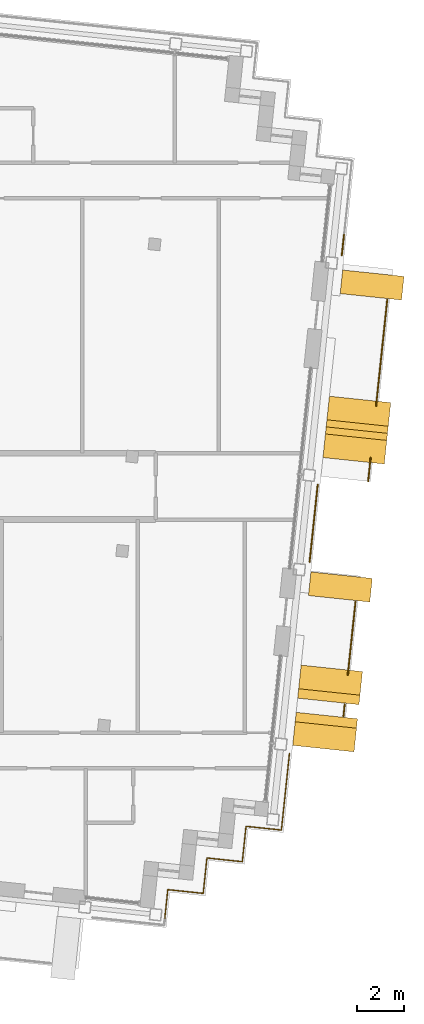
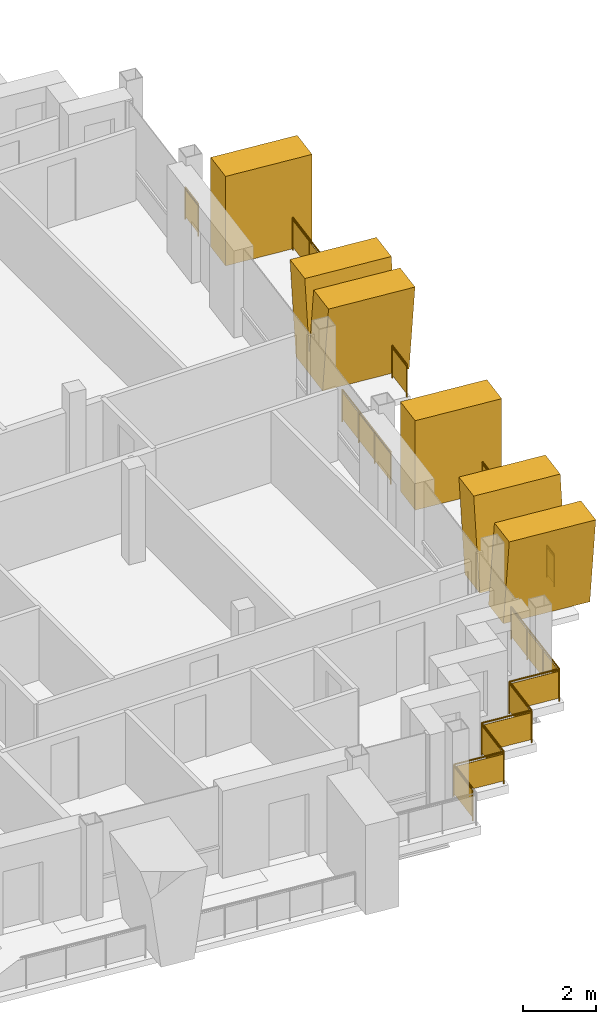
# One storey, part 15 of 17: 7 railings, 5 shading devices.
"""IFC4 building model written with IfcOpenShell, lengths in metres."""

from ifc_helpers import new_model, si_unit, direction, frame, origin, origin_2d, place, context, subcontext, project, spatial, polyline, rectangle, circle, outline, extrude, material, layer, layer_set, type_object, element, save


model = new_model("IFC4")

# Units and contexts
model_context = context("Model", 3, precision=1e-05, world=origin(), true_north=direction((0.0, 1.0)))
body_context = subcontext(model_context, "Body", "Model", "MODEL_VIEW")
ifc_project = project(units=[si_unit("LENGTHUNIT", "METRE"), si_unit("AREAUNIT", "SQUARE_METRE"), si_unit("VOLUMEUNIT", "CUBIC_METRE"), si_unit("PLANEANGLEUNIT", "RADIAN"), si_unit("MASSUNIT", "GRAM", prefix="KILO")], contexts=[model_context])

# Site, building, storey
site_placement = place(None, origin())
site = spatial("IfcSite", under=ifc_project, at=site_placement, CompositionType="ELEMENT")
building_placement = place(site_placement, origin())
building = spatial("IfcBuilding", under=site, at=building_placement, Name="Vidyagriha Tower", CompositionType="ELEMENT")
storey_placement = place(building_placement, frame((0.0, 0.0, 269.10009765625)))
storey = spatial("IfcBuildingStorey", under=building, at=storey_placement, Name="L70", CompositionType="ELEMENT", Elevation=269.10009765625)

# Railings
ifc_material_1 = material(Name="Steel ASTM A500 Grade C black painted", Category="steel")
railing_type_1 = type_object("IfcRailingType", Name="Balcony guard 1100", PredefinedType="BALUSTRADE", material=ifc_material_1)
railing_1_placement = place(storey_placement, frame((32.9140625, -9.682861328125, 0.0)))
element("IfcRailing", 1, at=railing_1_placement, inside=storey, type_object=railing_type_1, Name="Balcony guard L70 R28.1-1", PredefinedType="BALUSTRADE", context=body_context, shape_type="SweptSolid", body=[
    extrude(circle(Radius=0.02490234375, at=origin_2d()), frame((0.0, 0.0, 1.0751953125), z_axis=(0.104481464157, 0.994526834051, 0.0), x_axis=(-0.994526834051, 0.104481464157, 0.0)), (0.0, 0.0, 1.0), 0.5),
    extrude(circle(Radius=0.02001953125, at=origin_2d()), origin(), (0.0, 0.0, 1.0), 1.050048828125),
    extrude(circle(Radius=0.02001953125, at=origin_2d()), frame((0.05224609375, 0.497314453125, 0.0)), (0.0, 0.0, 1.0), 1.050048828125),
    extrude(rectangle(XDim=0.010009765625, YDim=0.900146484375, at=origin_2d()), frame((0.0, 0.0, 0.550048828125), z_axis=(0.104481464157, 0.994526834051, 0.0), x_axis=(-0.994526834051, 0.104481464157, 0.0)), (0.0, 0.0, 1.0), 0.5),
])
railing_2_placement = place(storey_placement, frame((33.097412109375, -7.93896484375, 0.0)))
element("IfcRailing", 2, at=railing_2_placement, inside=storey, type_object=railing_type_1, Name="Balcony guard L70 R28.1-2", PredefinedType="BALUSTRADE", context=body_context, shape_type="SweptSolid", body=[
    extrude(circle(Radius=0.02490234375, at=origin_2d()), frame((0.0, 0.0, 1.0751953125), z_axis=(0.104545242946, 0.99452013161, 0.0), x_axis=(-0.99452013161, 0.104545242946, 0.0)), (0.0, 0.0, 1.0), 3.0966796875),
    extrude(circle(Radius=0.02001953125, at=origin_2d()), origin(), (0.0, 0.0, 1.0), 1.050048828125),
    extrude(circle(Radius=0.02001953125, at=origin_2d()), frame((0.10791015625, 1.026611328125, 0.0)), (0.0, 0.0, 1.0), 1.050048828125),
    extrude(circle(Radius=0.02001953125, at=origin_2d()), frame((0.2158203125, 2.052978515625, 0.0)), (0.0, 0.0, 1.0), 1.050048828125),
    extrude(circle(Radius=0.02001953125, at=origin_2d()), frame((0.32373046875, 3.07958984375, 0.0)), (0.0, 0.0, 1.0), 1.050048828125),
    extrude(rectangle(XDim=0.010009765625, YDim=0.900146484375, at=origin_2d()), frame((0.0, 0.0, 0.550048828125), z_axis=(0.104545242946, 0.99452013161, 0.0), x_axis=(-0.99452013161, 0.104545242946, 0.0)), (0.0, 0.0, 1.0), 3.0966796875),
])
railing_3_placement = place(storey_placement, frame((33.9541015625, 0.212646484375, 0.0)))
element("IfcRailing", 3, at=railing_3_placement, inside=storey, type_object=railing_type_1, Name="Balcony guard L70 R28.2-1", PredefinedType="BALUSTRADE", context=body_context, shape_type="SweptSolid", body=[
    extrude(circle(Radius=0.02490234375, at=origin_2d()), frame((0.0, 0.0, 1.0751953125), z_axis=(0.104595526741, 0.994514844427, 0.0), x_axis=(-0.994514844427, 0.104595526741, 0.0)), (0.0, 0.0, 1.0), 0.99658203125),
    extrude(circle(Radius=0.02001953125, at=origin_2d()), origin(), (0.0, 0.0, 1.0), 1.050048828125),
    extrude(circle(Radius=0.02001953125, at=origin_2d()), frame((0.104248046875, 0.9912109375, 0.0)), (0.0, 0.0, 1.0), 1.050048828125),
    extrude(rectangle(XDim=0.010009765625, YDim=0.900146484375, at=origin_2d()), frame((0.0, 0.0, 0.550048828125), z_axis=(0.104595526741, 0.994514844427, 0.0), x_axis=(-0.994514844427, 0.104595526741, 0.0)), (0.0, 0.0, 1.0), 0.99658203125),
])
railing_4_placement = place(storey_placement, frame((34.2890625, 3.3984375, 0.0)))
element("IfcRailing", 4, at=railing_4_placement, inside=storey, type_object=railing_type_1, Name="Balcony guard L70 R28.2-2", PredefinedType="BALUSTRADE", context=body_context, shape_type="SweptSolid", body=[
    extrude(circle(Radius=0.02490234375, at=origin_2d()), frame((0.0, 0.0, 1.0751953125), z_axis=(0.104512386779, 0.994523584944, 0.0), x_axis=(-0.994523584944, 0.104512386779, 0.0)), (0.0, 0.0, 1.0), 4.496826171875),
    extrude(circle(Radius=0.02001953125, at=origin_2d()), origin(), (0.0, 0.0, 1.0), 1.050048828125),
    extrude(circle(Radius=0.02001953125, at=origin_2d()), frame((0.117431640625, 1.1181640625, 0.0)), (0.0, 0.0, 1.0), 1.050048828125),
    extrude(circle(Radius=0.02001953125, at=origin_2d()), frame((0.23486328125, 2.236083984375, 0.0)), (0.0, 0.0, 1.0), 1.050048828125),
    extrude(circle(Radius=0.02001953125, at=origin_2d()), frame((0.3525390625, 3.35400390625, 0.0)), (0.0, 0.0, 1.0), 1.050048828125),
    extrude(circle(Radius=0.02001953125, at=origin_2d()), frame((0.469970703125, 4.47216796875, 0.0)), (0.0, 0.0, 1.0), 1.050048828125),
    extrude(rectangle(XDim=0.010009765625, YDim=0.900146484375, at=origin_2d()), frame((0.0, 0.0, 0.550048828125), z_axis=(0.104512386779, 0.994523584944, 0.0), x_axis=(-0.994523584944, 0.104512386779, 0.0)), (0.0, 0.0, 1.0), 4.496826171875),
])

# Shading devices
ifc_material_2 = material(Name="Precast concrete C40/50 with buff brick facing", Category="concrete")
ifc_layer_1 = layer(ifc_material_2, 1.0)
ifc_layer_set_1 = layer_set([ifc_layer_1], Name="Precast concrete C40/50 with buff brick facing")
shading_device_type_1 = type_object("IfcShadingDeviceType", Name="Brick-faced blade fin arm leaning 8 degrees", PredefinedType="USERDEFINED", material=ifc_layer_set_1)
shading_device_1_placement = place(storey_placement, frame((32.275390625, -9.0625, 0.0), z_axis=(0.0, 0.0, 1.0), x_axis=(0.104648468085, 0.994509275033, 0.0)))
element("IfcShadingDevice", 5, at=shading_device_1_placement, inside=storey, type_object=shading_device_type_1, Name="Leaning blade fin L70 R28.250a", ObjectType="BLADE FIN", PredefinedType="USERDEFINED", context=body_context, shape_type="SweptSolid", body=[
    extrude(outline(polyline([(0.0, 0.0), (1.0, 0.0), (1.39990234375, 3.0), (0.39990234375, 3.0), (0.0, 0.0)])), frame((0.0, 1.300048828125, 0.0), z_axis=(0.0, -1.0, 0.0), x_axis=(1.0, 0.0, 0.0)), (0.0, 0.0, 1.0), 2.60009765625),
])
shading_device_2_placement = place(storey_placement, frame((32.06640625, -11.0517578125, 0.0), z_axis=(0.0, 0.0, 1.0), x_axis=(0.104439726433, 0.994531217983, 0.0)))
element("IfcShadingDevice", 6, at=shading_device_2_placement, inside=storey, type_object=shading_device_type_1, Name="Leaning blade fin L70 R28.250b", ObjectType="BLADE FIN", PredefinedType="USERDEFINED", context=body_context, shape_type="SweptSolid", body=[
    extrude(outline(polyline([(0.39990234375, 0.0), (1.39990234375, 0.0), (1.0, 3.0), (0.0, 3.0), (0.39990234375, 0.0)])), frame((0.0, 1.300048828125, 0.0), z_axis=(0.0, -1.0, 0.0), x_axis=(1.0, 0.0, 0.0)), (0.0, 0.0, 1.0), 2.60009765625),
])
ifc_material_3 = material(Name="Precast concrete C40/50 with buff brick facing", Category="concrete")
ifc_layer_2 = layer(ifc_material_3, 1.0)
ifc_layer_set_2 = layer_set([ifc_layer_2], Name="Precast concrete C40/50 with buff brick facing")
shading_device_type_2 = type_object("IfcShadingDeviceType", Name="Brick-faced blade fin forking 8 degrees", PredefinedType="USERDEFINED", material=ifc_layer_set_2)
shading_device_3_placement = place(storey_placement, frame((33.341552734375, 1.08154296875, 0.0), z_axis=(0.0, 0.0, 1.0), x_axis=(0.104513699976, 0.994523446942, 0.0)))
element("IfcShadingDevice", 7, at=shading_device_3_placement, inside=storey, type_object=shading_device_type_2, Name="Forked blade fin L70 R28.1390a", ObjectType="BLADE FIN", PredefinedType="USERDEFINED", context=body_context, shape_type="SweptSolid", body=[
    extrude(outline(polyline([(0.39990234375, 0.0), (2.199951171875, 0.0), (2.60009765625, 3.0), (1.60009765625, 3.0), (1.300048828125, 0.75), (1.0, 3.0), (0.0, 3.0), (0.39990234375, 0.0)])), frame((0.0, 1.300048828125, 0.0), z_axis=(0.0, -1.0, 0.0), x_axis=(1.0, 0.0, 0.0)), (0.0, 0.0, 1.0), 2.60009765625),
])
ifc_material_4 = material(Name="Precast concrete C40/50 with buff brick facing", Category="concrete")
ifc_layer_3 = layer(ifc_material_4, 1.0)
ifc_layer_set_3 = layer_set([ifc_layer_3], Name="Precast concrete C40/50 with buff brick facing")
shading_device_type_3 = type_object("IfcShadingDeviceType", Name="Brick-faced blade fin stem 1000", PredefinedType="USERDEFINED", material=ifc_layer_set_3)
for number, where, z_axis, x_axis, name in (
    (8, (32.72998046875, -4.736328125, 0.0), (0.0, 0.0, 1.0), (0.104748335039, 0.99449876134, 0.0), "Stem blade fin L70 R28.990a"),
    (9, (34.068115234375, 7.993408203125, 0.0), (0.0, 0.0, 1.0), (0.104481464157, 0.994526834051, 0.0), "Stem blade fin L70 R28.2290a"),
):
    element("IfcShadingDevice", number, at=place(storey_placement, frame(where, z_axis=z_axis, x_axis=x_axis)), inside=storey, type_object=shading_device_type_3, Name=name, ObjectType="BLADE FIN", PredefinedType="USERDEFINED", context=body_context, shape_type="SweptSolid", body=[
        extrude(outline(polyline([(0.0, 0.0), (1.0, 0.0), (1.0, 3.0), (0.0, 3.0), (0.0, 0.0)])), frame((0.0, 1.300048828125, 0.0), z_axis=(0.0, -1.0, 0.0), x_axis=(1.0, 0.0, 0.0)), (0.0, 0.0, 1.0), 2.60009765625),
    ])

# Railings
ifc_material_5 = material(Name="Steel ASTM A500 Grade C black painted", Category="steel")
railing_type_2 = type_object("IfcRailingType", Name="Gallery guard 1100", PredefinedType="GUARDRAIL", material=ifc_material_5)
railing_5_placement = place(storey_placement, frame((32.93603515625, 10.615966796875, 0.0)))
element("IfcRailing", 10, at=railing_5_placement, inside=storey, type_object=railing_type_2, Name="Gallery guard L70 10", PredefinedType="GUARDRAIL", context=body_context, shape_type="SweptSolid", body=[
    extrude(circle(Radius=0.02490234375, at=origin_2d()), frame((0.0, 0.0, 1.0751953125), z_axis=(-0.104612561624, -0.99451305268, 0.0), x_axis=(0.99451305268, -0.104612561624, 0.0)), (0.0, 0.0, 1.0), 0.8798828125),
    extrude(circle(Radius=0.02001953125, at=origin_2d()), origin(), (0.0, 0.0, 1.0), 1.050048828125),
    extrude(circle(Radius=0.02001953125, at=origin_2d()), frame((-0.092041015625, -0.875, 0.0)), (0.0, 0.0, 1.0), 1.050048828125),
    extrude(rectangle(XDim=0.010009765625, YDim=0.900146484375, at=origin_2d()), frame((0.0, 0.0, 0.550048828125), z_axis=(-0.104612561624, -0.99451305268, 0.0), x_axis=(0.99451305268, -0.104612561624, 0.0)), (0.0, 0.0, 1.0), 0.8798828125),
])
railing_6_placement = place(storey_placement, frame((30.636474609375, -11.263427734375, 0.0)))
element("IfcRailing", 11, at=railing_6_placement, inside=storey, type_object=railing_type_2, Name="Gallery guard L70 11", PredefinedType="GUARDRAIL", context=body_context, shape_type="SweptSolid", body=[
    extrude(circle(Radius=0.02490234375, at=origin_2d()), frame((0.0, 0.0, 1.0751953125), z_axis=(-0.104590643799, -0.994515357966, 0.0), x_axis=(0.994515357966, -0.104590643799, 0.0)), (0.0, 0.0, 1.0), 3.239990234375),
    extrude(circle(Radius=0.02490234375, at=origin_2d()), frame((-0.3388671875, -3.22216796875, 1.0751953125), z_axis=(-0.994525057048, 0.104498377516, 0.0), x_axis=(-0.104498377516, -0.994525057048, 0.0)), (0.0, 0.0, 1.0), 1.5),
    extrude(circle(Radius=0.02490234375, at=origin_2d()), frame((-1.83056640625, -3.0654296875, 1.0751953125), z_axis=(-0.104498377516, -0.994525057048, 0.0), x_axis=(0.994525057048, -0.104498377516, 0.0)), (0.0, 0.0, 1.0), 1.5),
    extrude(circle(Radius=0.02490234375, at=origin_2d()), frame((-1.9873046875, -4.55712890625, 1.0751953125), z_axis=(-0.994525057048, 0.104498377516, 0.0), x_axis=(-0.104498377516, -0.994525057048, 0.0)), (0.0, 0.0, 1.0), 1.5),
    extrude(circle(Radius=0.02490234375, at=origin_2d()), frame((-3.47900390625, -4.400390625, 1.0751953125), z_axis=(-0.104659366031, -0.994508128223, 0.0), x_axis=(0.994508128223, -0.104659366031, 0.0)), (0.0, 0.0, 1.0), 1.5),
    extrude(circle(Radius=0.02490234375, at=origin_2d()), frame((-3.635986328125, -5.89208984375, 1.0751953125), z_axis=(-0.994525057048, 0.104498377516, 0.0), x_axis=(-0.104498377516, -0.994525057048, 0.0)), (0.0, 0.0, 1.0), 1.5),
    extrude(circle(Radius=0.02490234375, at=origin_2d()), frame((-5.127685546875, -5.7353515625, 1.0751953125), z_axis=(-0.104432637393, -0.994531962406, 0.0), x_axis=(0.994531962406, -0.104432637393, 0.0)), (0.0, 0.0, 1.0), 1.260009765625),
    extrude(circle(Radius=0.02001953125, at=origin_2d()), origin(), (0.0, 0.0, 1.0), 1.050048828125),
    extrude(circle(Radius=0.02001953125, at=origin_2d()), frame((-0.113037109375, -1.073974609375, 0.0)), (0.0, 0.0, 1.0), 1.050048828125),
    extrude(circle(Radius=0.02001953125, at=origin_2d()), frame((-0.225830078125, -2.148193359375, 0.0)), (0.0, 0.0, 1.0), 1.050048828125),
    extrude(circle(Radius=0.02001953125, at=origin_2d()), frame((-0.3388671875, -3.22216796875, 0.0)), (0.0, 0.0, 1.0), 1.050048828125),
    extrude(circle(Radius=0.02001953125, at=origin_2d()), frame((-1.83056640625, -3.0654296875, 0.0)), (0.0, 0.0, 1.0), 1.050048828125),
    extrude(circle(Radius=0.02001953125, at=origin_2d()), frame((-1.9873046875, -4.55712890625, 0.0)), (0.0, 0.0, 1.0), 1.050048828125),
    extrude(circle(Radius=0.02001953125, at=origin_2d()), frame((-3.47900390625, -4.400390625, 0.0)), (0.0, 0.0, 1.0), 1.050048828125),
    extrude(circle(Radius=0.02001953125, at=origin_2d()), frame((-3.635986328125, -5.89208984375, 0.0)), (0.0, 0.0, 1.0), 1.050048828125),
    extrude(circle(Radius=0.02001953125, at=origin_2d()), frame((-5.127685546875, -5.7353515625, 0.0)), (0.0, 0.0, 1.0), 1.050048828125),
    extrude(circle(Radius=0.02001953125, at=origin_2d()), frame((-5.25927734375, -6.988525390625, 0.0)), (0.0, 0.0, 1.0), 1.050048828125),
    extrude(rectangle(XDim=0.010009765625, YDim=0.900146484375, at=origin_2d()), frame((0.0, 0.0, 0.550048828125), z_axis=(-0.104590643799, -0.994515357966, 0.0), x_axis=(0.994515357966, -0.104590643799, 0.0)), (0.0, 0.0, 1.0), 3.239990234375),
    extrude(rectangle(XDim=0.010009765625, YDim=0.900146484375, at=origin_2d()), frame((-0.3388671875, -3.22216796875, 0.550048828125), z_axis=(-0.994525057048, 0.104498377516, 0.0), x_axis=(-0.104498377516, -0.994525057048, 0.0)), (0.0, 0.0, 1.0), 1.5),
    extrude(rectangle(XDim=0.010009765625, YDim=0.900146484375, at=origin_2d()), frame((-1.83056640625, -3.0654296875, 0.550048828125), z_axis=(-0.104498377516, -0.994525057048, 0.0), x_axis=(0.994525057048, -0.104498377516, 0.0)), (0.0, 0.0, 1.0), 1.5),
    extrude(rectangle(XDim=0.010009765625, YDim=0.900146484375, at=origin_2d()), frame((-1.9873046875, -4.55712890625, 0.550048828125), z_axis=(-0.994525057048, 0.104498377516, 0.0), x_axis=(-0.104498377516, -0.994525057048, 0.0)), (0.0, 0.0, 1.0), 1.5),
    extrude(rectangle(XDim=0.010009765625, YDim=0.900146484375, at=origin_2d()), frame((-3.47900390625, -4.400390625, 0.550048828125), z_axis=(-0.104659366031, -0.994508128223, 0.0), x_axis=(0.994508128223, -0.104659366031, 0.0)), (0.0, 0.0, 1.0), 1.5),
    extrude(rectangle(XDim=0.010009765625, YDim=0.900146484375, at=origin_2d()), frame((-3.635986328125, -5.89208984375, 0.550048828125), z_axis=(-0.994525057048, 0.104498377516, 0.0), x_axis=(-0.104498377516, -0.994525057048, 0.0)), (0.0, 0.0, 1.0), 1.5),
    extrude(rectangle(XDim=0.010009765625, YDim=0.900146484375, at=origin_2d()), frame((-5.127685546875, -5.7353515625, 0.550048828125), z_axis=(-0.104432637393, -0.994531962406, 0.0), x_axis=(0.994531962406, -0.104432637393, 0.0)), (0.0, 0.0, 1.0), 1.260009765625),
])
railing_7_placement = place(storey_placement, frame((31.827880859375, 0.07421875, 0.0)))
element("IfcRailing", 12, at=railing_7_placement, inside=storey, type_object=railing_type_2, Name="Gallery guard L70 13", PredefinedType="GUARDRAIL", context=body_context, shape_type="SweptSolid", body=[
    extrude(circle(Radius=0.02490234375, at=origin_2d()), frame((0.0, 0.0, 1.0751953125), z_axis=(-0.104506547029, -0.994524198614, 0.0), x_axis=(0.994524198614, -0.104506547029, 0.0)), (0.0, 0.0, 1.0), 3.280029296875),
    extrude(circle(Radius=0.02001953125, at=origin_2d()), origin(), (0.0, 0.0, 1.0), 1.050048828125),
    extrude(circle(Radius=0.02001953125, at=origin_2d()), frame((-0.1142578125, -1.08740234375, 0.0)), (0.0, 0.0, 1.0), 1.050048828125),
    extrude(circle(Radius=0.02001953125, at=origin_2d()), frame((-0.228515625, -2.174560546875, 0.0)), (0.0, 0.0, 1.0), 1.050048828125),
    extrude(circle(Radius=0.02001953125, at=origin_2d()), frame((-0.3427734375, -3.261962890625, 0.0)), (0.0, 0.0, 1.0), 1.050048828125),
    extrude(rectangle(XDim=0.010009765625, YDim=0.900146484375, at=origin_2d()), frame((0.0, 0.0, 0.550048828125), z_axis=(-0.104506547029, -0.994524198614, 0.0), x_axis=(0.994524198614, -0.104506547029, 0.0)), (0.0, 0.0, 1.0), 3.280029296875),
])

save(model, "model.ifc")
